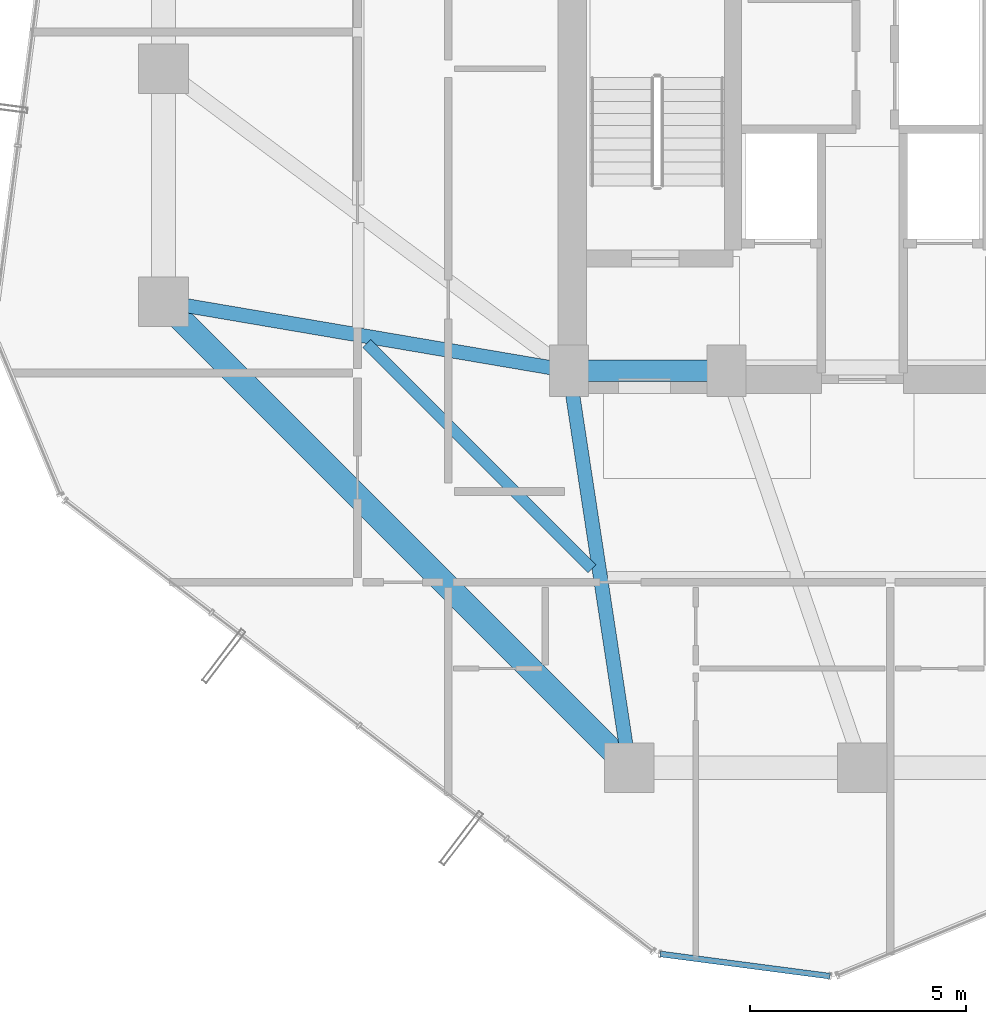
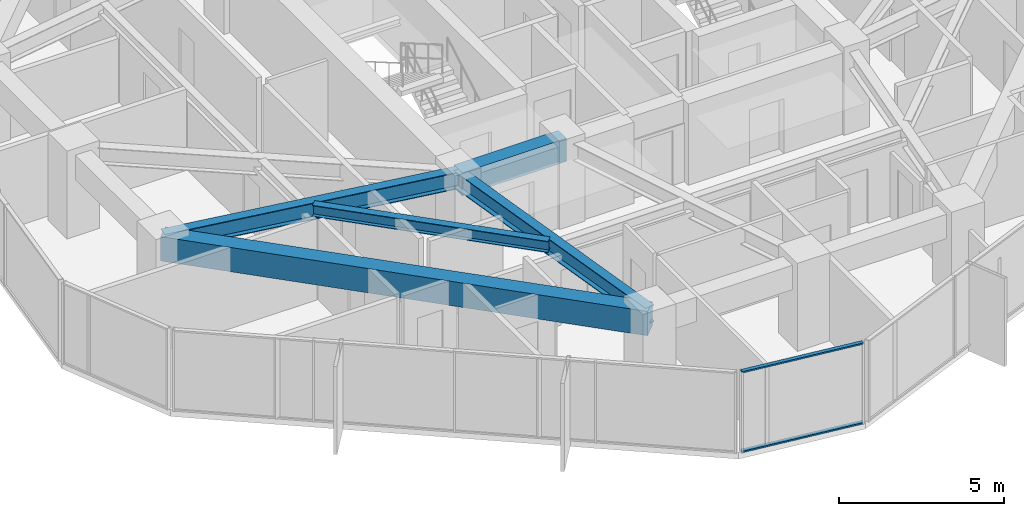
# One storey, part 5 of 30: 5 beams, 2 members, 1 element without a shape of its own.
"""IFC4 building model written with IfcOpenShell, lengths in metres."""

import ifcopenshell
import ifcopenshell.guid

model = None  # the IFC model being written
_history = None  # IfcOwnerHistory: only IFC2X3 demands one
_inside = {}  # id of a spatial element -> (the spatial element, [elements in it])
_under = {}  # id of a project, library or spatial element -> (it, [spatial elements below it])
_declared = {}  # id of a project -> (the project, [libraries it declares])
_typed = {}  # id of a type object -> (the type object, [elements of that type])
_made_of = {}  # id of a material, layer set ... -> (it, [elements and type objects made of it])


def new_model(schema):
    """Start an empty IFC model of exactly this schema.

    Asked for "IFC4X3", IfcOpenShell would pick the latest addendum, in which some entities
    have other attributes; the version numbers below select the first issue.
    IFC2X3 requires an IfcOwnerHistory on every rooted entity: one is made here for all.
    """
    global model, _history
    if schema == "IFC4X3":
        model = ifcopenshell.file(schema_version=(4, 3, 0, 0))
    else:
        model = ifcopenshell.file(schema=schema)
    _inside.clear()
    _under.clear()
    _declared.clear()
    _typed.clear()
    _made_of.clear()
    _history = None
    if model.schema == "IFC2X3":
        org = make("IfcOrganization", Name="unknown")
        user = make(
            "IfcPersonAndOrganization",
            ThePerson=make("IfcPerson", FamilyName="unknown"),
            TheOrganization=org,
        )
        app = make(
            "IfcApplication",
            ApplicationDeveloper=org,
            Version="unknown",
            ApplicationFullName="unknown",
            ApplicationIdentifier="unknown",
        )
        _history = make(
            "IfcOwnerHistory",
            OwningUser=user,
            OwningApplication=app,
            ChangeAction="ADDED",
            CreationDate=0,
        )
    return model


def make(cls, **values):
    """One entity of the class cls with the attributes given. An attribute that is None is left unset."""
    return model.create_entity(
        cls, **{name: value for name, value in values.items() if value is not None}
    )


def rooted(cls, **values):
    """An entity with a GlobalId (a new one), such as an element, a storey or a relation."""
    return make(cls, GlobalId=ifcopenshell.guid.new(), OwnerHistory=_history, **values)


def si_unit(unit_type, name, prefix=None):
    """IfcSIUnit, for example si_unit("LENGTHUNIT", "METRE", prefix="MILLI")."""
    return make("IfcSIUnit", UnitType=unit_type, Prefix=prefix, Name=name)


def assignment(units):
    """IfcUnitAssignment: the units of a project."""
    return None if units is None else make("IfcUnitAssignment", Units=units)


def point(xyz):
    """IfcCartesianPoint."""
    return None if xyz is None else make("IfcCartesianPoint", Coordinates=xyz)


def direction(xyz):
    """IfcDirection."""
    return None if xyz is None else make("IfcDirection", DirectionRatios=xyz)


def frame(location, z_axis=None, x_axis=None):
    """IfcAxis2Placement3D, a coordinate frame: its origin and axes. An axis left out is left unset."""
    return make(
        "IfcAxis2Placement3D",
        Location=point(location),
        Axis=direction(z_axis),
        RefDirection=direction(x_axis),
    )


def frame_2d(location, x_axis=None):
    """IfcAxis2Placement2D, a coordinate frame in the plane: its origin and x axis."""
    return make(
        "IfcAxis2Placement2D", Location=point(location), RefDirection=direction(x_axis)
    )


def origin():
    """The frame at (0, 0, 0) with its axes left unset."""
    return frame((0.0, 0.0, 0.0))


def origin_2d():
    """The frame at (0, 0) in the plane with its x axis left unset."""
    return frame_2d((0.0, 0.0))


def place(relative_to, where):
    """IfcLocalPlacement: puts the frame where relative to a parent placement (None: the world)."""
    return make(
        "IfcLocalPlacement", PlacementRelTo=relative_to, RelativePlacement=where
    )


def context(
    kind, dimensions, precision=None, world=None, true_north=None, identifier=None
):
    """IfcGeometricRepresentationContext, for example the 3D "Model" context."""
    return make(
        "IfcGeometricRepresentationContext",
        ContextIdentifier=identifier,
        ContextType=kind,
        CoordinateSpaceDimension=dimensions,
        Precision=precision,
        WorldCoordinateSystem=world,
        TrueNorth=true_north,
    )


def subcontext(parent, identifier, kind, view, scale=None):
    """IfcGeometricRepresentationSubContext, for example "Body" below "Model"."""
    return make(
        "IfcGeometricRepresentationSubContext",
        ContextIdentifier=identifier,
        ContextType=kind,
        ParentContext=parent,
        TargetScale=scale,
        TargetView=view,
    )


def project(units=None, contexts=None):
    """IfcProject with its units and contexts."""
    return rooted(
        "IfcProject",
        Name="project",
        RepresentationContexts=contexts,
        UnitsInContext=assignment(units),
    )


def spatial(cls, under=None, at=None, **own):
    """A site, building, storey or space (cls), placed at a placement, below another one or the project."""
    s = rooted(cls, ObjectPlacement=at, **own)
    if under is not None:
        _under.setdefault(under.id(), (under, []))[1].append(s)
    return s


def profile(cls, at=None, kind="AREA", **sizes):
    """A parametric profile (cls). Its sizes go by their IFC names, for example OverallWidth=200.0."""
    return make(cls, ProfileType=kind, Position=at, **sizes)


def rectangle(**sizes):
    """IfcRectangleProfileDef."""
    return profile("IfcRectangleProfileDef", **sizes)


def hollow_rectangle(**sizes):
    """IfcRectangleHollowProfileDef."""
    return profile("IfcRectangleHollowProfileDef", **sizes)


def i_section(**sizes):
    """IfcIShapeProfileDef."""
    return profile("IfcIShapeProfileDef", **sizes)


def extrude(swept, where, along, depth):
    """IfcExtrudedAreaSolid: the profile swept, set in the frame where, extruded along a direction by depth."""
    return make(
        "IfcExtrudedAreaSolid",
        SweptArea=swept,
        Position=where,
        ExtrudedDirection=direction(along),
        Depth=depth,
    )


def shape(context_of_items, identifier, shape_type, items):
    """IfcShapeRepresentation: the items that make up one representation, for example the "Body"."""
    return make(
        "IfcShapeRepresentation",
        ContextOfItems=context_of_items,
        RepresentationIdentifier=identifier,
        RepresentationType=shape_type,
        Items=items,
    )


def source(mapping_origin, context_of_items, identifier, shape_type, items):
    """IfcRepresentationMap: a shape defined once, which mapped items show again and again."""
    return make(
        "IfcRepresentationMap",
        MappingOrigin=mapping_origin,
        MappedRepresentation=shape(context_of_items, identifier, shape_type, items),
    )


def transform(
    local_origin,
    x_axis=None,
    y_axis=None,
    z_axis=None,
    scale=None,
    scale2=None,
    scale3=None,
    uniform=True,
):
    """IfcCartesianTransformationOperator3D, or its non-uniform kind. x_axis, y_axis, z_axis: its Axis1, 2, 3."""
    if uniform:
        return make(
            "IfcCartesianTransformationOperator3D",
            Axis1=direction(x_axis),
            Axis2=direction(y_axis),
            LocalOrigin=point(local_origin),
            Scale=scale,
            Axis3=direction(z_axis),
        )
    return make(
        "IfcCartesianTransformationOperator3DnonUniform",
        Axis1=direction(x_axis),
        Axis2=direction(y_axis),
        LocalOrigin=point(local_origin),
        Scale=scale,
        Axis3=direction(z_axis),
        Scale2=scale2,
        Scale3=scale3,
    )


def mapped(mapping_source, mapping_target):
    """IfcMappedItem: shows the shape of a source again, moved by a transform."""
    return make(
        "IfcMappedItem", MappingSource=mapping_source, MappingTarget=mapping_target
    )


def material(Name=None, Category=None):
    """IfcMaterial."""
    return make("IfcMaterial", Name=Name, Category=Category)


def layer(
    of_material, thickness, ventilated=None, Name=None, Category=None, Priority=None
):
    """IfcMaterialLayer: one layer of a wall or slab, of a material (None: an air gap)."""
    return make(
        "IfcMaterialLayer",
        Material=of_material,
        LayerThickness=thickness,
        IsVentilated=ventilated,
        Name=Name,
        Category=Category,
        Priority=Priority,
    )


def layer_set(layers, Name=None):
    """IfcMaterialLayerSet."""
    return make("IfcMaterialLayerSet", MaterialLayers=layers, LayerSetName=Name)


def material_profile(
    of_material, cross_section, Name=None, Category=None, Priority=None
):
    """IfcMaterialProfile: a cross section and its material."""
    return make(
        "IfcMaterialProfile",
        Name=Name,
        Material=of_material,
        Profile=cross_section,
        Priority=Priority,
        Category=Category,
    )


def profile_set(profiles, Name=None, composite=None):
    """IfcMaterialProfileSet."""
    return make(
        "IfcMaterialProfileSet",
        Name=Name,
        MaterialProfiles=profiles,
        CompositeProfile=composite,
    )


def made_of(thing, what):
    """Note that an element or type object is made of a material, layer set ...; save() writes the relation."""
    if what is not None:
        _made_of.setdefault(what.id(), (what, []))[1].append(thing)
    return thing


def type_object(cls, material=None, **own):
    """A type object (cls), such as IfcWallType, which elements share."""
    return made_of(rooted(cls, **own), material)


def element(
    cls,
    number,
    at=None,
    inside=None,
    cuts=None,
    type_object=None,
    material=None,
    context=None,
    identifier="Body",
    shape_type=None,
    held_by="IfcProductDefinitionShape",
    body=None,
    shapes=None,
    **own,
):
    """One element of the class cls, such as IfcWall. Its Tag is "e" and its number.

    at: its placement. inside: the storey or other place that contains it. cuts: it is an
    opening in that element (IfcRelVoidsElement). A single representation is given by context,
    identifier, shape_type and body (its items); several are given by shapes. held_by: the class
    of the entity that holds the representations. save() writes the other relations.
    """
    e = rooted(cls, Tag="e%d" % number, ObjectPlacement=at, **own)
    if body is not None:
        shapes = [shape(context, identifier, shape_type, body)]
    if shapes is not None:
        e.Representation = make(held_by, Representations=shapes)
    if inside is not None:
        _inside.setdefault(inside.id(), (inside, []))[1].append(e)
    if cuts is not None:
        rooted(
            "IfcRelVoidsElement", RelatingBuildingElement=cuts, RelatedOpeningElement=e
        )
    if type_object is not None:
        _typed.setdefault(type_object.id(), (type_object, []))[1].append(e)
    return made_of(e, material)


def aggregate(whole, parts):
    """IfcRelAggregates: a whole, such as a stair, and the parts it consists of."""
    return rooted("IfcRelAggregates", RelatingObject=whole, RelatedObjects=parts)


def save(model, path):
    """Write the relations noted so far, then the file.

    IfcRelAggregates (storeys below a building ...), IfcRelContainedInSpatialStructure (elements
    in a storey), IfcRelDefinesByType, IfcRelAssociatesMaterial and IfcRelDeclares: one each for
    every whole, place, type object, material and project.
    """
    for whole, parts in _under.values():
        aggregate(whole, parts)
    for where, things in _inside.values():
        rooted(
            "IfcRelContainedInSpatialStructure",
            RelatedElements=things,
            RelatingStructure=where,
        )
    for kind, things in _typed.values():
        rooted("IfcRelDefinesByType", RelatedObjects=things, RelatingType=kind)
    for what, things in _made_of.values():
        rooted("IfcRelAssociatesMaterial", RelatedObjects=things, RelatingMaterial=what)
    for by, libraries in _declared.values():
        rooted("IfcRelDeclares", RelatingContext=by, RelatedDefinitions=libraries)
    model.write(path)


model = new_model("IFC4")

# Units and contexts
model_context = context("Model", 3, precision=1e-05, world=origin(), true_north=direction((0.0, 1.0)))
body_context = subcontext(model_context, "Body", "Model", "MODEL_VIEW")
ifc_project = project(units=[si_unit("LENGTHUNIT", "METRE"), si_unit("AREAUNIT", "SQUARE_METRE"), si_unit("VOLUMEUNIT", "CUBIC_METRE"), si_unit("PLANEANGLEUNIT", "RADIAN"), si_unit("MASSUNIT", "GRAM", prefix="KILO")], contexts=[model_context])

# Site, building, storey
site_placement = place(None, origin())
site = spatial("IfcSite", under=ifc_project, at=site_placement, CompositionType="ELEMENT")
building_placement = place(site_placement, origin())
building = spatial("IfcBuilding", under=site, at=building_placement, Name="Veraguas Prism Commons", CompositionType="ELEMENT")
storey_placement = place(building_placement, frame((0.0, 0.0, 102.449951171875)))
storey = spatial("IfcBuildingStorey", under=building, at=storey_placement, Name="L28", CompositionType="ELEMENT", Elevation=102.449951171875)

# Beams
ifc_material_1 = material(Name="Concrete C50/60", Category="concrete")
ifc_material_profile_1 = material_profile(ifc_material_1, rectangle(XDim=0.5, YDim=0.85009765625, at=origin_2d()), Name="RC500X850")
ifc_profile_set_1 = profile_set([ifc_material_profile_1], Name="Concrete C50/60")
beam_type_1 = type_object("IfcBeamType", Name="Core Coupling Beam RC 500x850", PredefinedType="BEAM", material=ifc_profile_set_1)
beam_1_placement = place(storey_placement, frame((17.199951171875, 17.0, 2.574951171875), z_axis=(1.0, 0.0, 0.0), x_axis=(0.0, 1.0, 0.0)))
element("IfcBeam", 1, at=beam_1_placement, inside=storey, type_object=beam_type_1, Name="Core Coupling Beam L28-CRS1", PredefinedType="BEAM", context=body_context, shape_type="SweptSolid", body=[
    extrude(rectangle(XDim=0.5, YDim=0.85009765625, at=origin_2d()), origin(), (0.0, 0.0, 1.0), 3.650146484375),
])
ifc_material_2 = material(Name="Steel ASTM A992 Grade 50", Category="steel")
ifc_material_profile_2 = material_profile(ifc_material_2, i_section(OverallWidth=0.260986328125, OverallDepth=0.419921875, WebThickness=0.01171875, FlangeThickness=0.019287109375, at=origin_2d()), Name="W410X114")
ifc_profile_set_2 = profile_set([ifc_material_profile_2], Name="Steel ASTM A992 Grade 50")
beam_type_2 = type_object("IfcBeamType", Name="Lower Floor Joist W410x114", PredefinedType="JOIST", material=ifc_profile_set_2)
beam_2_placement = place(storey_placement, frame((12.510009765625, 17.634033203125, 2.7900390625), z_axis=(0.707090260193, -0.707123301794, 0.0), x_axis=(0.707123301794, 0.707090260193, 0.0)))
element("IfcBeam", 2, at=beam_2_placement, inside=storey, type_object=beam_type_2, Name="Composite Floor Joist L28-JS09", PredefinedType="JOIST", context=body_context, shape_type="SweptSolid", body=[
    extrude(i_section(OverallWidth=0.260986328125, OverallDepth=0.419921875, WebThickness=0.01171875, FlangeThickness=0.019287109375, at=origin_2d()), origin(), (0.0, 0.0, 1.0), 7.388916015625),
])
ifc_material_profile_3 = material_profile(ifc_material_1, rectangle(XDim=0.550048828125, YDim=0.89990234375, at=origin_2d()), Name="RC550X900")
ifc_profile_set_3 = profile_set([ifc_material_profile_3], Name="Concrete C50/60")
beam_type_3 = type_object("IfcBeamType", Name="Perimeter Spandrel Lower RC 550x900", PredefinedType="SPANDREL", material=ifc_profile_set_3)
beam_3_placement = place(storey_placement, frame((7.800048828125, 18.60009765625, 2.550048828125), z_axis=(0.707106781187, -0.707106781187, 0.0), x_axis=(0.707106781187, 0.707106781187, 0.0)))
element("IfcBeam", 3, at=beam_3_placement, inside=storey, type_object=beam_type_3, Name="Perimeter Spandrel Beam L28-SP09", PredefinedType="SPANDREL", context=body_context, shape_type="SweptSolid", body=[
    extrude(rectangle(XDim=0.550048828125, YDim=0.89990234375, at=origin_2d()), origin(), (0.0, 0.0, 1.0), 15.273681640625),
])
ifc_material_profile_4 = material_profile(ifc_material_2, i_section(OverallWidth=0.327880859375, OverallDepth=0.6220703125, WebThickness=0.015380859375, FlangeThickness=0.0244140625, at=origin_2d()), Name="W610X195")
ifc_profile_set_4 = profile_set([ifc_material_profile_4], Name="Steel ASTM A992 Grade 50")
beam_type_4 = type_object("IfcBeamType", Name="Zone 2 Radial Girder W610x195", PredefinedType="BEAM", material=ifc_profile_set_4)
beam_4_placement = place(storey_placement, frame((7.800048828125, 18.60009765625, 2.68896484375), z_axis=(0.985819187151, -0.1678109956, 0.0), x_axis=(0.1678109956, 0.985819187151, 0.0)))
element("IfcBeam", 4, at=beam_4_placement, inside=storey, type_object=beam_type_4, Name="Radial Floor Girder L28-RD09", PredefinedType="BEAM", context=body_context, shape_type="SweptSolid", body=[
    extrude(i_section(OverallWidth=0.327880859375, OverallDepth=0.6220703125, WebThickness=0.015380859375, FlangeThickness=0.0244140625, at=origin_2d()), origin(), (0.0, 0.0, 1.0), 9.53515625),
])
beam_5_placement = place(storey_placement, frame((18.60009765625, 7.800048828125, 2.68896484375), z_axis=(-0.150458162136, 0.98861637729, 0.0), x_axis=(-0.98861637729, -0.150458162136, 0.0)))
element("IfcBeam", 5, at=beam_5_placement, inside=storey, type_object=beam_type_4, Name="Radial Floor Girder L28-RD10", PredefinedType="BEAM", context=body_context, shape_type="SweptSolid", body=[
    extrude(i_section(OverallWidth=0.327880859375, OverallDepth=0.6220703125, WebThickness=0.015380859375, FlangeThickness=0.0244140625, at=origin_2d()), origin(), (0.0, 0.0, 1.0), 9.305908203125),
])

# Curtain wall, members
ifc_material_3 = material(Name="Anodised aluminium EN AW-6063 T6", Category="aluminium")
ifc_layer = layer(ifc_material_3, 0.169921875, Name="Unitised Flush Curtain Wall Zone 2", Category="aluminium")
ifc_layer_set = layer_set([ifc_layer], Name="Anodised aluminium EN AW-6063 T6")
curtain_wall_type = type_object("IfcCurtainWallType", Name="Unitised Flush Curtain Wall Zone 2", PredefinedType="NOTDEFINED", material=ifc_layer_set)
curtain_wall_placement = place(storey_placement, origin())
curtain_wall = element("IfcCurtainWall", 6, at=curtain_wall_placement, inside=storey, type_object=curtain_wall_type, Name="Chamfer Curtain Wall L28-C5", PredefinedType="NOTDEFINED")
ifc_material_profile_5 = material_profile(ifc_material_3, hollow_rectangle(XDim=0.054931640625, YDim=0.135009765625, WallThickness=0.0029296875, at=origin_2d()), Name="AL55X135X3")
ifc_profile_set_5 = profile_set([ifc_material_profile_5], Name="Anodised aluminium EN AW-6063 T6")
member_type = type_object("IfcMemberType", Name="Curtain Wall Transom Standard AL 55x135x3", PredefinedType="USERDEFINED", material=ifc_profile_set_5)
shared_shape = source(origin(), body_context, "Body", "SweptSolid", [
    extrude(hollow_rectangle(XDim=0.054931640625, YDim=0.135009765625, WallThickness=0.0029296875, at=origin_2d()), origin(), (0.0, 0.0, 1.0), 3.97314453125),
])
member_1_placement = place(storey_placement, frame((19.31005859375, 3.484130859375, 0.027587890625), z_axis=(0.991534838041, -0.129840921714, 0.0), x_axis=(0.0, 0.0, 1.0)))
member_1 = element("IfcMember", 7, at=member_1_placement, type_object=member_type, Name="CW-Z2 Transom 1", ObjectType="TRANSOM", PredefinedType="USERDEFINED", context=body_context, shape_type="MappedRepresentation", body=[
    mapped(shared_shape, transform((0.0, 0.0, 0.0), scale=1.0)),
])
member_2_placement = place(storey_placement, frame((19.31005859375, 3.484130859375, 2.97265625), z_axis=(0.991534838041, -0.129840921714, 0.0), x_axis=(0.0, 0.0, 1.0)))
member_2 = element("IfcMember", 8, at=member_2_placement, type_object=member_type, Name="CW-Z2 Transom 2", ObjectType="TRANSOM", PredefinedType="USERDEFINED", context=body_context, shape_type="MappedRepresentation", body=[
    mapped(shared_shape, transform((0.0, 0.0, 0.0), scale=1.0)),
])
aggregate(curtain_wall, [member_1, member_2])

save(model, "model.ifc")
